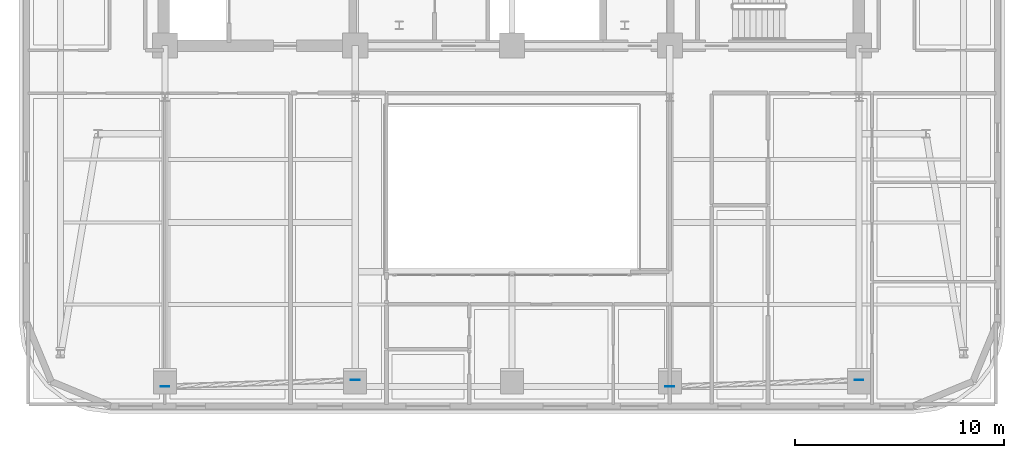
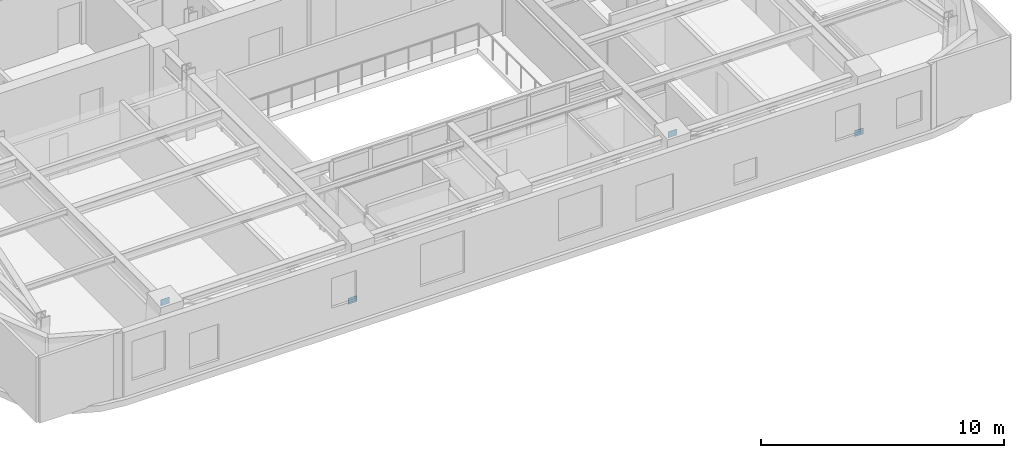
# One storey, part 4 of 12: 4 plates.
"""IFC4 building model written with IfcOpenShell, lengths in metres."""

from ifc_helpers import new_model, si_unit, direction, frame, origin, origin_2d, place, context, subcontext, project, spatial, rectangle, extrude, material, layer, layer_set, type_object, element, save


model = new_model("IFC4")

# Units and contexts
model_context = context("Model", 3, precision=1e-05, world=origin(), true_north=direction((0.0, 1.0)))
body_context = subcontext(model_context, "Body", "Model", "MODEL_VIEW")
ifc_project = project(units=[si_unit("LENGTHUNIT", "METRE"), si_unit("AREAUNIT", "SQUARE_METRE"), si_unit("VOLUMEUNIT", "CUBIC_METRE"), si_unit("PLANEANGLEUNIT", "RADIAN"), si_unit("MASSUNIT", "GRAM", prefix="KILO")], contexts=[model_context])

# Site, building, storey
site_placement = place(None, origin())
site = spatial("IfcSite", under=ifc_project, at=site_placement, CompositionType="ELEMENT")
building_placement = place(site_placement, origin())
building = spatial("IfcBuilding", under=site, at=building_placement, Name="Zarnavel Station Tower", CompositionType="ELEMENT")
storey_placement = place(building_placement, frame((0.0, 0.0, 159.0)))
storey = spatial("IfcBuildingStorey", under=building, at=storey_placement, Name="L43", CompositionType="ELEMENT", Elevation=159.0)

# Plates
ifc_material = material(Name="Steel S460M", Category="steel")
ifc_layer = layer(ifc_material, 0.02490234375)
ifc_layer_set = layer_set([ifc_layer], Name="GP_GUSSET_25")
plate_type = type_object("IfcPlateType", Name="GP_GUSSET_25", PredefinedType="USERDEFINED", material=ifc_layer_set)
for number, where, z_axis, x_axis, name in (
    (1, (21.300048828125, 11.8193359375, -0.14990234375), (0.0, 0.0, 1.0), (1.0, 0.0, 0.0), "L43 Exterior Diagonal Brace End Gusset 1-1"),
    (2, (12.199951171875, 11.521240234375, 3.14013671875), (0.0, 0.0, 1.0), (1.0, 0.0, 0.0), "L43 Exterior Diagonal Brace End Gusset 1-2"),
    (3, (45.39990234375, 11.8193359375, -0.14990234375), (0.0, 0.0, 1.0), (1.0, 0.0, 0.0), "L43 Exterior Diagonal Brace End Gusset 2-1"),
    (4, (36.35009765625, 11.521240234375, 3.14013671875), (0.0, 0.0, 1.0), (1.0, 0.0, 0.0), "L43 Exterior Diagonal Brace End Gusset 2-2"),
):
    element("IfcPlate", number, at=place(storey_placement, frame(where, z_axis=z_axis, x_axis=x_axis)), inside=storey, type_object=plate_type, Name=name, ObjectType="GUSSET_PLATE", PredefinedType="USERDEFINED", context=body_context, shape_type="SweptSolid", body=[
        extrude(rectangle(XDim=0.419921875, YDim=0.02490234375, at=origin_2d()), origin(), (0.0, 0.0, 1.0), 0.300048828125),
    ])

save(model, "model.ifc")
